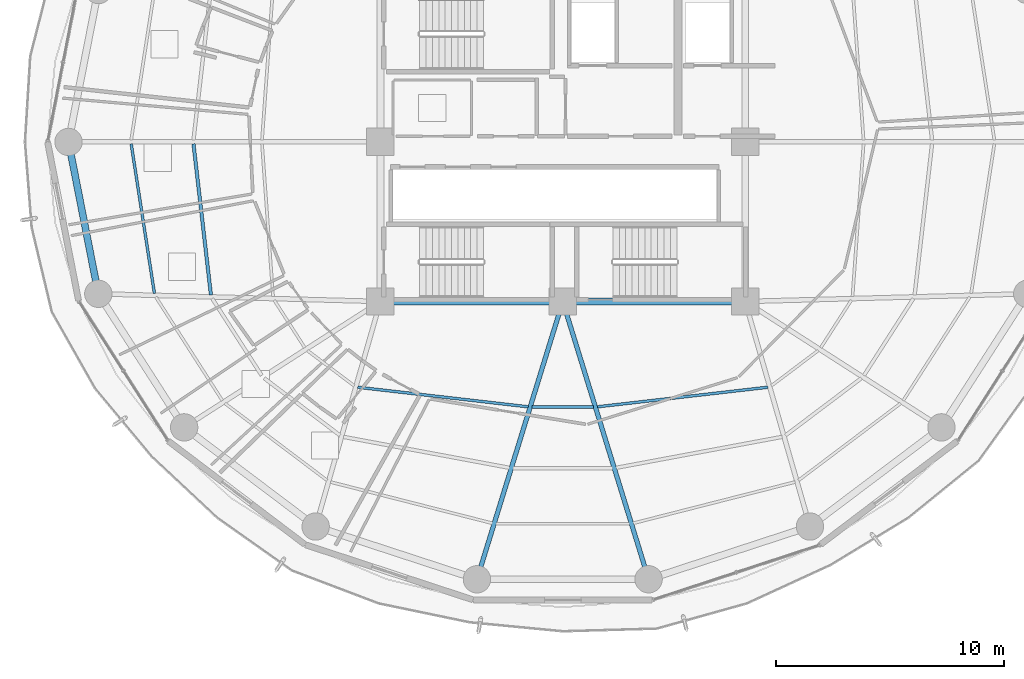
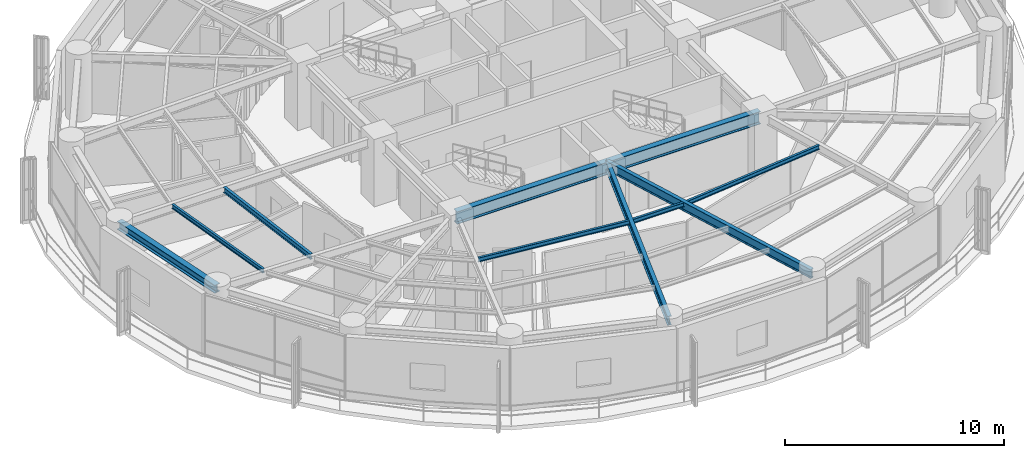
# One storey, part 5 of 28: 10 beams.
"""IFC4 building model written with IfcOpenShell, lengths in metres."""

from ifc_helpers import new_model, si_unit, direction, frame, origin, origin_2d, place, context, subcontext, project, spatial, i_section, extrude, material, material_profile, profile_set, type_object, element, save


model = new_model("IFC4")

# Units and contexts
model_context = context("Model", 3, precision=1e-05, world=origin(), true_north=direction((0.0, 1.0)))
body_context = subcontext(model_context, "Body", "Model", "MODEL_VIEW")
ifc_project = project(units=[si_unit("LENGTHUNIT", "METRE"), si_unit("AREAUNIT", "SQUARE_METRE"), si_unit("VOLUMEUNIT", "CUBIC_METRE"), si_unit("PLANEANGLEUNIT", "RADIAN"), si_unit("MASSUNIT", "GRAM", prefix="KILO")], contexts=[model_context])

# Site, building, storey
site_placement = place(None, origin())
site = spatial("IfcSite", under=ifc_project, at=site_placement, CompositionType="ELEMENT")
building_placement = place(site_placement, origin())
building = spatial("IfcBuilding", under=site, at=building_placement, Name="Kelanora Arch Commons", CompositionType="ELEMENT")
storey_placement = place(building_placement, frame((0.0, 0.0, 161.85009765625)))
storey = spatial("IfcBuildingStorey", under=building, at=storey_placement, Name="L41", CompositionType="ELEMENT", Elevation=161.85009765625)

# Beams
ifc_material = material(Name="Steel S355", Category="steel")
ifc_material_profile_1 = material_profile(ifc_material, i_section(OverallWidth=0.300048828125, OverallDepth=0.699951171875, WebThickness=0.01708984375, FlangeThickness=0.031982421875, FilletRadius=0.027099609375, at=origin_2d()), Name="HEB700")
ifc_profile_set_1 = profile_set([ifc_material_profile_1], Name="Steel S355")
beam_type_1 = type_object("IfcBeamType", Name="BM-CORE-HDR", PredefinedType="BEAM", material=ifc_profile_set_1)
for number, where, z_axis, x_axis, name in (
    (1, (66.0, 51.0, 3.139892578125), (1.0, 0.0, 0.0), (0.0, 1.0, 0.0), "Core Header Beam 01 L41"),
    (2, (74.0, 51.0, 3.139892578125), (1.0, 0.0, 0.0), (0.0, 1.0, 0.0), "Core Header Beam 02 L41"),
):
    element("IfcBeam", number, at=place(storey_placement, frame(where, z_axis=z_axis, x_axis=x_axis)), inside=storey, type_object=beam_type_1, Name=name, PredefinedType="BEAM", context=body_context, shape_type="SweptSolid", body=[
        extrude(i_section(OverallWidth=0.300048828125, OverallDepth=0.699951171875, WebThickness=0.01708984375, FlangeThickness=0.031982421875, FilletRadius=0.027099609375, at=origin_2d()), origin(), (0.0, 0.0, 1.0), 8.0),
    ])
ifc_material_profile_2 = material_profile(ifc_material, i_section(OverallWidth=0.14990234375, OverallDepth=0.300048828125, WebThickness=0.007080078125, FlangeThickness=0.0107421875, FilletRadius=0.014892578125, at=origin_2d()), Name="IPE300")
ifc_profile_set_2 = profile_set([ifc_material_profile_2], Name="Steel S355")
beam_type_2 = type_object("IfcBeamType", Name="BM-JST-01", PredefinedType="JOIST", material=ifc_profile_set_2)
beam_1_placement = place(storey_placement, frame((57.8017578125, 57.91552734375, 3.33984375), z_axis=(0.114667159005, -0.9934039675, 0.0), x_axis=(0.9934039675, 0.114667159005, 0.0)))
element("IfcBeam", 3, at=beam_1_placement, inside=storey, type_object=beam_type_2, Name="Secondary Chord Joist BJB-18 L41", PredefinedType="JOIST", context=body_context, shape_type="SweptSolid", body=[
    extrude(i_section(OverallWidth=0.14990234375, OverallDepth=0.300048828125, WebThickness=0.007080078125, FlangeThickness=0.0107421875, FilletRadius=0.014892578125, at=origin_2d()), origin(), (0.0, 0.0, 1.0), 6.672607421875),
])
ifc_material_profile_3 = material_profile(ifc_material, i_section(OverallWidth=0.1201171875, OverallDepth=0.239990234375, WebThickness=0.006103515625, FlangeThickness=0.009765625, FilletRadius=0.014892578125, at=origin_2d()), Name="IPE240")
ifc_profile_set_3 = profile_set([ifc_material_profile_3], Name="Steel S355")
beam_type_3 = type_object("IfcBeamType", Name="BM-JST-02", PredefinedType="JOIST", material=ifc_profile_set_3)
beam_2_placement = place(storey_placement, frame((55.069091796875, 57.916015625, 3.369873046875), z_axis=(0.153562625853, -0.988138917329, 0.0), x_axis=(0.988138917329, 0.153562625853, 0.0)))
element("IfcBeam", 4, at=beam_2_placement, inside=storey, type_object=beam_type_3, Name="Secondary Chord Joist BJC-18 L41", PredefinedType="JOIST", context=body_context, shape_type="SweptSolid", body=[
    extrude(i_section(OverallWidth=0.1201171875, OverallDepth=0.239990234375, WebThickness=0.006103515625, FlangeThickness=0.009765625, FilletRadius=0.014892578125, at=origin_2d()), origin(), (0.0, 0.0, 1.0), 6.640869140625),
])
beam_3_placement = place(storey_placement, frame((65.005126953125, 47.239501953125, 3.369873046875), z_axis=(0.993457414184, -0.114203179475, 0.0), x_axis=(0.114203179475, 0.993457414184, 0.0)))
element("IfcBeam", 5, at=beam_3_placement, inside=storey, type_object=beam_type_3, Name="Secondary Chord Joist BJA-24 L41", PredefinedType="JOIST", context=body_context, shape_type="SweptSolid", body=[
    extrude(i_section(OverallWidth=0.1201171875, OverallDepth=0.239990234375, WebThickness=0.006103515625, FlangeThickness=0.009765625, FilletRadius=0.014892578125, at=origin_2d()), origin(), (0.0, 0.0, 1.0), 7.529296875),
])
beam_4_placement = place(storey_placement, frame((72.654296875, 46.3701171875, 3.369873046875), z_axis=(1.0, 0.0, 0.0), x_axis=(0.0, 1.0, 0.0)))
element("IfcBeam", 6, at=beam_4_placement, inside=storey, type_object=beam_type_3, Name="Secondary Chord Joist BJA-26 L41", PredefinedType="JOIST", context=body_context, shape_type="SweptSolid", body=[
    extrude(i_section(OverallWidth=0.1201171875, OverallDepth=0.239990234375, WebThickness=0.006103515625, FlangeThickness=0.009765625, FilletRadius=0.014892578125, at=origin_2d()), origin(), (0.0, 0.0, 1.0), 2.69140625),
])
beam_5_placement = place(storey_placement, frame((75.514892578125, 46.379638671875, 3.369873046875), z_axis=(0.993457414184, 0.114203179475, 0.0), x_axis=(-0.114203179475, 0.993457414184, 0.0)))
element("IfcBeam", 7, at=beam_5_placement, inside=storey, type_object=beam_type_3, Name="Secondary Chord Joist BJA-28 L41", PredefinedType="JOIST", context=body_context, shape_type="SweptSolid", body=[
    extrude(i_section(OverallWidth=0.1201171875, OverallDepth=0.239990234375, WebThickness=0.006103515625, FlangeThickness=0.009765625, FilletRadius=0.014892578125, at=origin_2d()), origin(), (0.0, 0.0, 1.0), 7.529296875),
])
ifc_material_profile_4 = material_profile(ifc_material, i_section(OverallWidth=0.199951171875, OverallDepth=0.5, WebThickness=0.01025390625, FlangeThickness=0.01611328125, FilletRadius=0.02099609375, at=origin_2d()), Name="IPE500")
ifc_profile_set_4 = profile_set([ifc_material_profile_4], Name="Steel S355")
beam_type_4 = type_object("IfcBeamType", Name="BM-RAD-Z3", PredefinedType="BEAM", material=ifc_profile_set_4)
for number, where, z_axis, x_axis, name in (
    (8, (74.0, 51.0, 3.239990234375), (-0.295210315095, -0.955432294755, 0.0), (0.955432294755, -0.295210315095, 0.0), "Radial Floor Girder BR-26 L41"),
    (9, (74.0, 51.0, 3.239990234375), (0.295210315095, -0.955432294755, 0.0), (0.955432294755, 0.295210315095, 0.0), "Radial Floor Girder BR-28 L41"),
):
    element("IfcBeam", number, at=place(storey_placement, frame(where, z_axis=z_axis, x_axis=x_axis)), inside=storey, type_object=beam_type_4, Name=name, PredefinedType="BEAM", context=body_context, shape_type="SweptSolid", body=[
        extrude(i_section(OverallWidth=0.199951171875, OverallDepth=0.5, WebThickness=0.01025390625, FlangeThickness=0.01611328125, FilletRadius=0.02099609375, at=origin_2d()), origin(), (0.0, 0.0, 1.0), 12.75244140625),
    ])
ifc_material_profile_5 = material_profile(ifc_material, i_section(OverallWidth=0.300048828125, OverallDepth=0.449951171875, WebThickness=0.013916015625, FlangeThickness=0.02587890625, FilletRadius=0.027099609375, at=origin_2d()), Name="HEB450")
ifc_profile_set_5 = profile_set([ifc_material_profile_5], Name="Steel S355")
beam_type_5 = type_object("IfcBeamType", Name="BM-SPN-Z3", PredefinedType="SPANDREL", material=ifc_profile_set_5)
beam_6_placement = place(storey_placement, frame((52.320068359375, 58.0, 3.264892578125), z_axis=(0.192553643556, -0.981286448675, 0.0), x_axis=(0.981286448675, 0.192553643556, 0.0)))
element("IfcBeam", 10, at=beam_6_placement, inside=storey, type_object=beam_type_5, Name="Perimeter Spandrel Beam BS-18 L41", PredefinedType="SPANDREL", context=body_context, shape_type="SweptSolid", body=[
    extrude(i_section(OverallWidth=0.300048828125, OverallDepth=0.449951171875, WebThickness=0.013916015625, FlangeThickness=0.02587890625, FilletRadius=0.027099609375, at=origin_2d()), origin(), (0.0, 0.0, 1.0), 6.78955078125),
])

save(model, "model.ifc")
